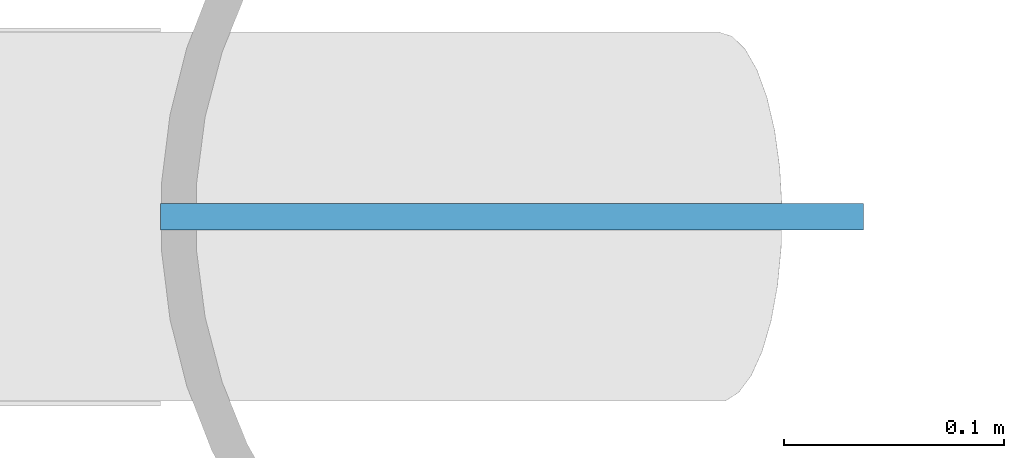
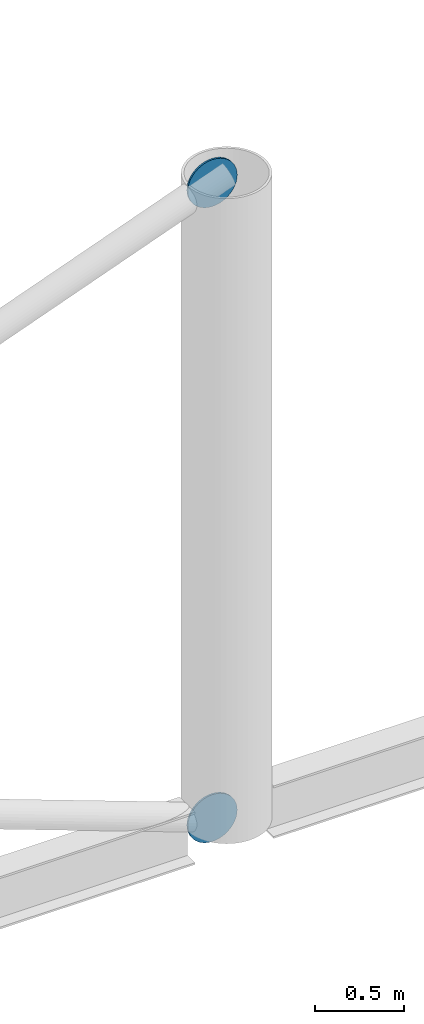
# One storey, part 72 of 95: 2 discrete accessories.
"""IFC4 building model written with IfcOpenShell, lengths in metres."""

from ifc_helpers import new_model, si_unit, direction, frame, origin, origin_2d, place, context, subcontext, project, spatial, circle, extrude, material, layer, layer_set, type_object, element, save


model = new_model("IFC4")

# Units and contexts
model_context = context("Model", 3, precision=1e-05, world=origin(), true_north=direction((0.0, 1.0)))
body_context = subcontext(model_context, "Body", "Model", "MODEL_VIEW")
ifc_project = project(units=[si_unit("LENGTHUNIT", "METRE"), si_unit("AREAUNIT", "SQUARE_METRE"), si_unit("VOLUMEUNIT", "CUBIC_METRE"), si_unit("PLANEANGLEUNIT", "RADIAN"), si_unit("MASSUNIT", "GRAM", prefix="KILO")], contexts=[model_context])

# Site, building, storey
site_placement = place(None, origin())
site = spatial("IfcSite", under=ifc_project, at=site_placement, CompositionType="ELEMENT")
building_placement = place(site_placement, origin())
building = spatial("IfcBuilding", under=site, at=building_placement, Name="Windward Yard Aquatics Centre", CompositionType="ELEMENT")
storey_placement = place(building_placement, frame((0.0, 0.0, 9.39990234375)))
storey = spatial("IfcBuildingStorey", under=building, at=storey_placement, Name="L02", CompositionType="ELEMENT", Elevation=9.39990234375)

# Discrete accessories
ifc_material = material(Name="Steel S355", Category="steel")
ifc_layer = layer(ifc_material, 0.011962890625)
ifc_layer_set = layer_set([ifc_layer], Name="Gusset plate 320 mm disc 12 mm")
discrete_accessory_type = type_object("IfcDiscreteAccessoryType", Name="Gusset plate 320 mm disc 12 mm", PredefinedType="USERDEFINED", material=ifc_layer_set)
for number, where, z_axis, x_axis, name in (
    (1, (71.906005859375, 80.39404296875, 4.36572265625), (0.0, 1.0, 0.0), (-1.0, 0.0, 0.0), "Gusset plate"),
    (2, (71.906005859375, 80.39404296875, 0.034423828125), (0.0, 1.0, 0.0), (-1.0, 0.0, 0.0), "Gusset plate"),
):
    element("IfcDiscreteAccessory", number, at=place(storey_placement, frame(where, z_axis=z_axis, x_axis=x_axis)), inside=storey, type_object=discrete_accessory_type, Name=name, ObjectType="GUSSET PLATE", PredefinedType="USERDEFINED", context=body_context, shape_type="SweptSolid", body=[
        extrude(circle(Radius=0.159912109375, at=origin_2d()), origin(), (0.0, 0.0, 1.0), 0.011962890625),
    ])

save(model, "model.ifc")
